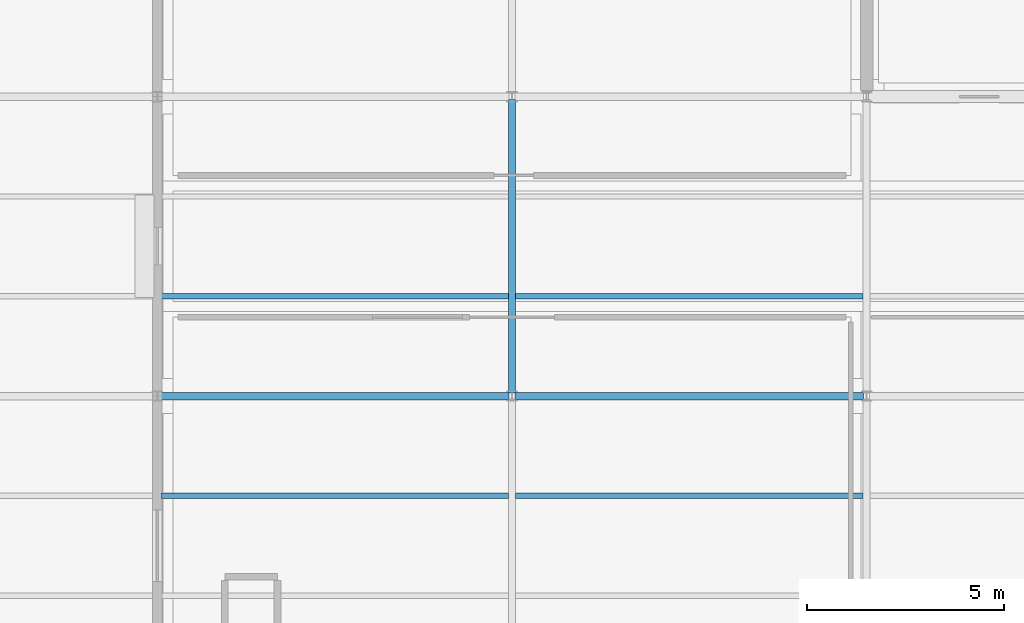
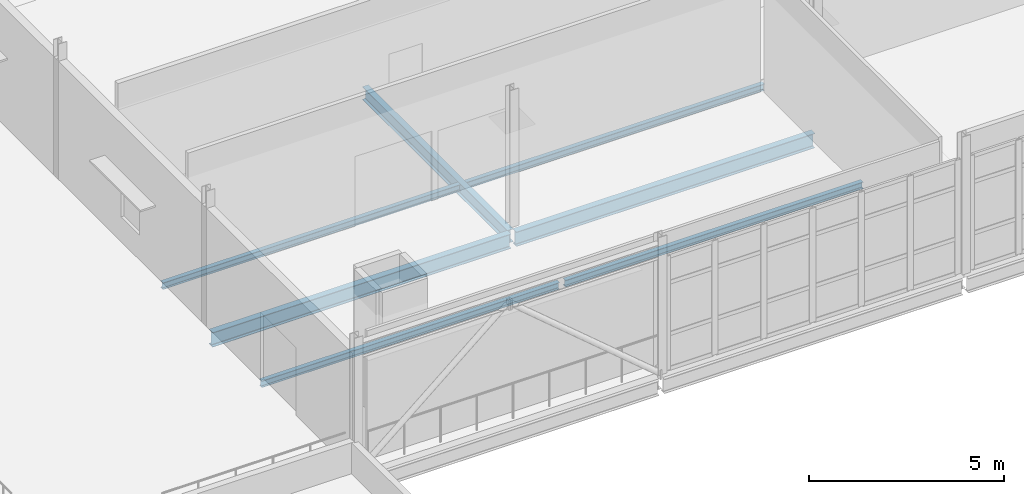
# One storey, part 34 of 96: 7 beams.
"""IFC4 building model written with IfcOpenShell, lengths in metres."""

from ifc_helpers import new_model, si_unit, direction, frame, origin, origin_2d, place, context, subcontext, project, spatial, i_section, extrude, material, material_profile, profile_set, type_object, element, save


model = new_model("IFC4")

# Units and contexts
model_context = context("Model", 3, precision=1e-05, world=origin(), true_north=direction((0.0, 1.0)))
body_context = subcontext(model_context, "Body", "Model", "MODEL_VIEW")
ifc_project = project(units=[si_unit("LENGTHUNIT", "METRE"), si_unit("AREAUNIT", "SQUARE_METRE"), si_unit("VOLUMEUNIT", "CUBIC_METRE"), si_unit("PLANEANGLEUNIT", "RADIAN"), si_unit("MASSUNIT", "GRAM", prefix="KILO")], contexts=[model_context])

# Site, building, storey
site_placement = place(None, origin())
site = spatial("IfcSite", under=ifc_project, at=site_placement, CompositionType="ELEMENT")
building_placement = place(site_placement, origin())
building = spatial("IfcBuilding", under=site, at=building_placement, Name="Caisbarro Railhouse Central Library", CompositionType="ELEMENT")
storey_placement = place(building_placement, frame((0.0, 0.0, 13.679931640625)))
storey = spatial("IfcBuildingStorey", under=building, at=storey_placement, Name="L03", CompositionType="ELEMENT", Elevation=13.679931640625)

# Beams
ifc_material = material(Name="Steel ASTM A572 Grade 50", Category="steel")
ifc_material_profile_1 = material_profile(ifc_material, i_section(OverallWidth=0.18994140625, OverallDepth=0.45703125, WebThickness=0.009033203125, FlangeThickness=0.014404296875, FilletRadius=0.01806640625, at=origin_2d()), Name="W460X74.0")
ifc_profile_set_1 = profile_set([ifc_material_profile_1], Name="Steel ASTM A572 Grade 50")
beam_type_1 = type_object("IfcBeamType", Name="BM-G08", PredefinedType="BEAM", material=ifc_profile_set_1)
for number, where, z_axis, x_axis, name in (
    (1, (63.080078125, 91.199951171875, -0.428466796875), (1.0, 0.0, 0.0), (0.0, 1.0, 0.0), "G08 beam L03 #1970"),
    (2, (72.080078125, 91.199951171875, -0.428466796875), (1.0, 0.0, 0.0), (0.0, 1.0, 0.0), "G08 beam L03 #1971"),
):
    element("IfcBeam", number, at=place(storey_placement, frame(where, z_axis=z_axis, x_axis=x_axis)), inside=storey, type_object=beam_type_1, Name=name, PredefinedType="BEAM", context=body_context, shape_type="SweptSolid", body=[
        extrude(i_section(OverallWidth=0.18994140625, OverallDepth=0.45703125, WebThickness=0.009033203125, FlangeThickness=0.014404296875, FilletRadius=0.01806640625, at=origin_2d()), origin(), (0.0, 0.0, 1.0), 8.83984375),
    ])
ifc_material_profile_2 = material_profile(ifc_material, i_section(OverallWidth=0.177978515625, OverallDepth=0.406982421875, WebThickness=0.0078125, FlangeThickness=0.0126953125, FilletRadius=0.01611328125, at=origin_2d()), Name="W410X60.0")
ifc_profile_set_2 = profile_set([ifc_material_profile_2], Name="Steel ASTM A572 Grade 50")
beam_type_2 = type_object("IfcBeamType", Name="BM-G10", PredefinedType="BEAM", material=ifc_profile_set_2)
beam_placement = place(storey_placement, frame((72.0, 91.280029296875, -0.4033203125), z_axis=(0.0, 1.0, 0.0), x_axis=(-1.0, 0.0, 0.0)))
element("IfcBeam", 3, at=beam_placement, inside=storey, type_object=beam_type_2, Name="G10 beam L03 #1982", PredefinedType="BEAM", context=body_context, shape_type="SweptSolid", body=[
    extrude(i_section(OverallWidth=0.177978515625, OverallDepth=0.406982421875, WebThickness=0.0078125, FlangeThickness=0.0126953125, FilletRadius=0.01611328125, at=origin_2d()), origin(), (0.0, 0.0, 1.0), 7.43994140625),
])
ifc_material_profile_3 = material_profile(ifc_material, i_section(OverallWidth=0.133056640625, OverallDepth=0.20703125, WebThickness=0.005859375, FlangeThickness=0.00830078125, FilletRadius=0.010009765625, at=origin_2d()), Name="W200X26.6")
ifc_profile_set_3 = profile_set([ifc_material_profile_3], Name="Steel ASTM A572 Grade 50")
beam_type_3 = type_object("IfcBeamType", Name="BM-J07", PredefinedType="JOIST", material=ifc_profile_set_3)
for number, where, z_axis, x_axis, name in (
    (4, (63.089111328125, 88.666748046875, -0.303466796875), (1.0, 0.0, 0.0), (0.0, 1.0, 0.0), "J07 beam L03 #1994"),
    (5, (63.089111328125, 93.7333984375, -0.303466796875), (1.0, 0.0, 0.0), (0.0, 1.0, 0.0), "J07 beam L03 #1995"),
    (6, (72.089111328125, 88.666748046875, -0.303466796875), (1.0, 0.0, 0.0), (0.0, 1.0, 0.0), "J07 beam L03 #2000"),
    (7, (72.089111328125, 93.7333984375, -0.303466796875), (1.0, 0.0, 0.0), (0.0, 1.0, 0.0), "J07 beam L03 #2001"),
):
    element("IfcBeam", number, at=place(storey_placement, frame(where, z_axis=z_axis, x_axis=x_axis)), inside=storey, type_object=beam_type_3, Name=name, PredefinedType="JOIST", context=body_context, shape_type="SweptSolid", body=[
        extrude(i_section(OverallWidth=0.133056640625, OverallDepth=0.20703125, WebThickness=0.005859375, FlangeThickness=0.00830078125, FilletRadius=0.010009765625, at=origin_2d()), origin(), (0.0, 0.0, 1.0), 8.82177734375),
    ])

save(model, "model.ifc")
